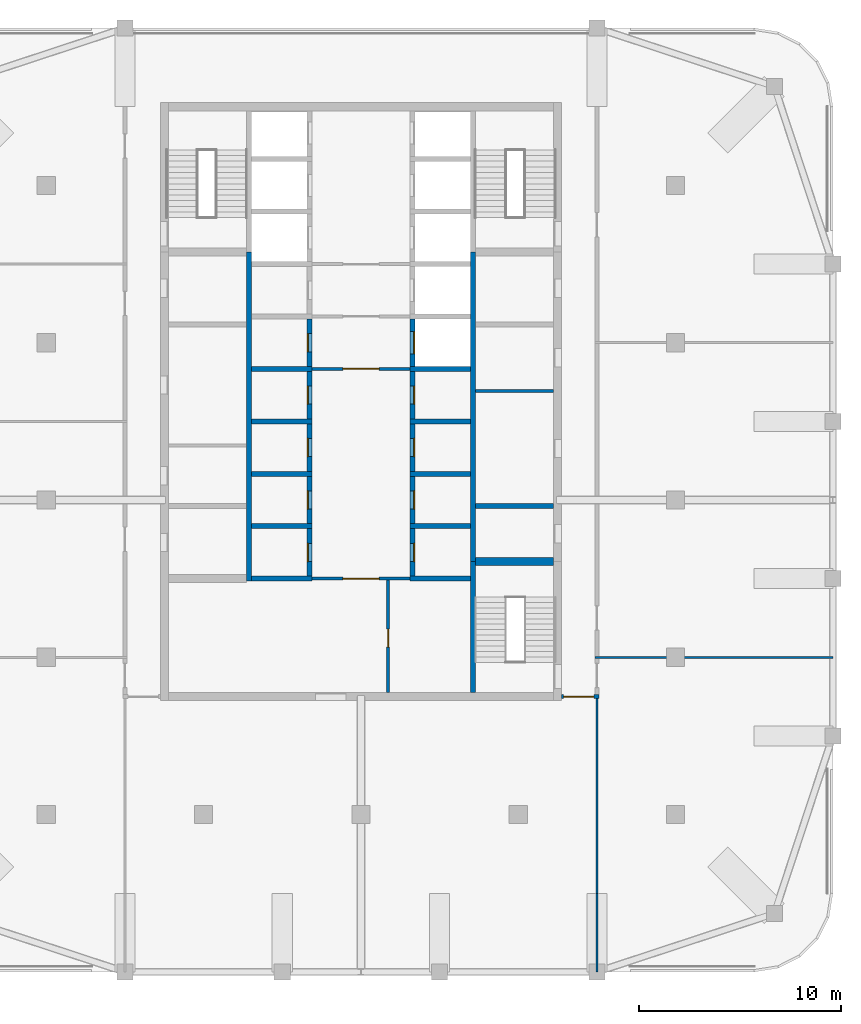
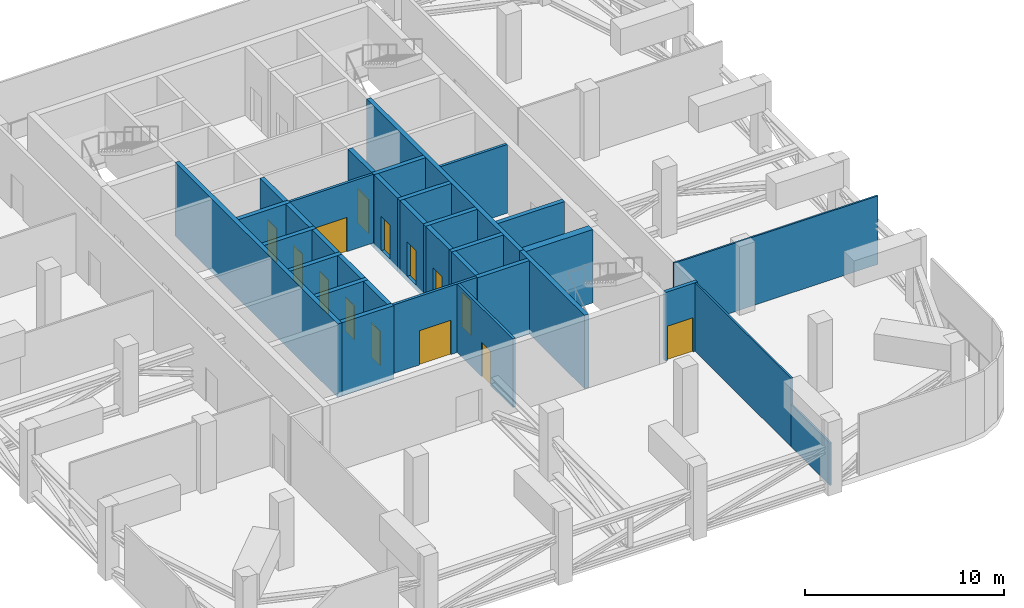
# One storey, part 6 of 13: 33 walls, 14 doors, 14 openings.
"""IFC4 building model written with IfcOpenShell, lengths in metres."""

from ifc_helpers import new_model, si_unit, direction, frame, frame_2d, origin, place, context, subcontext, project, spatial, rectangle, extrude, material, layer, layer_set, type_object, element, fill, save


model = new_model("IFC4")

# Units and contexts
model_context = context("Model", 3, precision=1e-05, world=origin(), true_north=direction((0.0, 1.0)))
body_context = subcontext(model_context, "Body", "Model", "MODEL_VIEW")
ifc_project = project(units=[si_unit("LENGTHUNIT", "METRE"), si_unit("AREAUNIT", "SQUARE_METRE"), si_unit("VOLUMEUNIT", "CUBIC_METRE"), si_unit("PLANEANGLEUNIT", "RADIAN"), si_unit("MASSUNIT", "GRAM", prefix="KILO")], contexts=[model_context])

# Site, building, storey
site_placement = place(None, origin())
site = spatial("IfcSite", under=ifc_project, at=site_placement, CompositionType="ELEMENT")
building_placement = place(site_placement, origin())
building = spatial("IfcBuilding", under=site, at=building_placement, Name="Ludao Terraces", CompositionType="ELEMENT")
storey_placement = place(building_placement, frame((0.0, 0.0, 241.5)))
storey = spatial("IfcBuildingStorey", under=building, at=storey_placement, Name="L66", CompositionType="ELEMENT", Elevation=241.5)

# Wall, opening, door
ifc_material_1 = material(Name="Fire-rated gypsum plasterboard", Category="gypsum")
ifc_layer_1 = layer(ifc_material_1, 0.012451171875, Category="gypsum")
ifc_material_2 = material(Name="Mineral wool")
ifc_layer_2 = layer(ifc_material_2, 0.10009765625, Name="insulation")
ifc_material_3 = material(Name="Steel Q235", Category="steel")
ifc_layer_3 = layer(ifc_material_3, 0.02490234375, Name="stud")
ifc_layer_4 = layer(ifc_material_1, 0.012451171875, Category="gypsum")
ifc_layer_set_1 = layer_set([ifc_layer_1, ifc_layer_2, ifc_layer_3, ifc_layer_4], Name="INT Core partition 150")
wall_type_1 = type_object("IfcWallType", Name="INT Core partition 150", PredefinedType="PARTITIONING", material=ifc_layer_set_1)
wall_1_placement = place(storey_placement, frame((82.5751953125, 61.10009765625, 0.0), z_axis=(0.0, 0.0, 1.0), x_axis=(1.0, 0.0, 0.0)))
wall_1 = element("IfcWall", 1, at=wall_1_placement, inside=storey, type_object=wall_type_1, Name="PW-L66-PW004", PredefinedType="PARTITIONING", context=body_context, shape_type="SweptSolid", body=[
    extrude(rectangle(XDim=4.849853515625, YDim=0.14990234375, at=frame_2d((2.4248046875, 0.0))), origin(), (0.0, 0.0, 1.0), 4.199951171875),
])
opening_1_placement = place(wall_1_placement, frame((1.52490234375, 0.0, 0.0)))
opening_1 = element("IfcOpeningElement", 2, at=opening_1_placement, cuts=wall_1, Name="Opening L66-009", PredefinedType="OPENING", context=body_context, shape_type="SweptSolid", body=[
    extrude(rectangle(XDim=1.800048828125, YDim=2.10009765625, at=frame_2d((0.89990234375, 1.050048828125))), frame((0.0, 0.0849609375, 0.0), z_axis=(0.0, -1.0, 0.0), x_axis=(1.0, 0.0, 0.0)), (0.0, 0.0, 1.0), 0.169921875),
])
door_type_1 = type_object("IfcDoorType", Name="INT Fire lobby door 1800", OperationType="DOUBLE_DOOR_SINGLE_SWING", PredefinedType="DOOR", material=ifc_material_3)
door_1_placement = place(opening_1_placement, origin())
door_1 = element("IfcDoor", 3, at=door_1_placement, inside=storey, type_object=door_type_1, Name="DOOR 009", OperationType="DOUBLE_DOOR_SINGLE_SWING", OverallHeight=2.10009765625, OverallWidth=1.800048828125, PredefinedType="DOOR", context=body_context, shape_type="SweptSolid", body=[
    extrude(rectangle(XDim=1.800048828125, YDim=2.10009765625, at=frame_2d((0.89990234375, 1.050048828125))), frame((0.0, 0.02490234375, 0.0), z_axis=(0.0, -1.0, 0.0), x_axis=(1.0, 0.0, 0.0)), (0.0, 0.0, 1.0), 0.050048828125),
])
fill(opening_1, door_1)

# Wall
wall_2_placement = place(storey_placement, frame((90.675048828125, 70.39990234375, 0.0), z_axis=(0.0, 0.0, 1.0), x_axis=(1.0, 0.0, 0.0)))
element("IfcWall", 4, at=wall_2_placement, inside=storey, type_object=wall_type_1, Name="PW-L66-PW007", PredefinedType="PARTITIONING", context=body_context, shape_type="SweptSolid", body=[
    extrude(rectangle(XDim=3.875, YDim=0.14990234375, at=frame_2d((1.9375, 0.0))), origin(), (0.0, 0.0, 1.0), 4.199951171875),
])

# Wall, opening, door
wall_3_placement = place(storey_placement, frame((82.5751953125, 71.5, 0.0), z_axis=(0.0, 0.0, 1.0), x_axis=(1.0, 0.0, 0.0)))
wall_3 = element("IfcWall", 5, at=wall_3_placement, inside=storey, type_object=wall_type_1, Name="PW-L66-PW008", PredefinedType="PARTITIONING", context=body_context, shape_type="SweptSolid", body=[
    extrude(rectangle(XDim=4.849853515625, YDim=0.14990234375, at=frame_2d((2.4248046875, 0.0))), origin(), (0.0, 0.0, 1.0), 4.199951171875),
])
opening_2_placement = place(wall_3_placement, frame((1.52490234375, 0.0, 0.0)))
opening_2 = element("IfcOpeningElement", 6, at=opening_2_placement, cuts=wall_3, Name="Opening L66-024", PredefinedType="OPENING", context=body_context, shape_type="SweptSolid", body=[
    extrude(rectangle(XDim=1.800048828125, YDim=2.10009765625, at=frame_2d((0.89990234375, 1.050048828125))), frame((0.0, 0.0849609375, 0.0), z_axis=(0.0, -1.0, 0.0), x_axis=(1.0, 0.0, 0.0)), (0.0, 0.0, 1.0), 0.169921875),
])
door_2_placement = place(opening_2_placement, origin())
door_2 = element("IfcDoor", 7, at=door_2_placement, inside=storey, type_object=door_type_1, Name="DOOR 024", OperationType="DOUBLE_DOOR_SINGLE_SWING", OverallHeight=2.10009765625, OverallWidth=1.800048828125, PredefinedType="DOOR", context=body_context, shape_type="SweptSolid", body=[
    extrude(rectangle(XDim=1.800048828125, YDim=2.10009765625, at=frame_2d((0.89990234375, 1.050048828125))), frame((0.0, 0.02490234375, 0.0), z_axis=(0.0, -1.0, 0.0), x_axis=(1.0, 0.0, 0.0)), (0.0, 0.0, 1.0), 0.050048828125),
])
fill(opening_2, door_2)

wall_4_placement = place(storey_placement, frame((86.35009765625, 55.4501953125, 0.0), z_axis=(0.0, 0.0, 1.0), x_axis=(0.0, 1.0, 0.0)))
wall_4 = element("IfcWall", 8, at=wall_4_placement, inside=storey, type_object=wall_type_1, Name="PW-L66-PW015", PredefinedType="PARTITIONING", context=body_context, shape_type="SweptSolid", body=[
    extrude(rectangle(XDim=5.574951171875, YDim=0.14990234375, at=frame_2d((2.78759765625, 0.0))), origin(), (0.0, 0.0, 1.0), 4.199951171875),
])
opening_3_placement = place(wall_4_placement, frame((2.25, 0.0, 0.0)))
opening_3 = element("IfcOpeningElement", 9, at=opening_3_placement, cuts=wall_4, Name="Opening L66-007", PredefinedType="OPENING", context=body_context, shape_type="SweptSolid", body=[
    extrude(rectangle(XDim=0.89990234375, YDim=2.10009765625, at=frame_2d((0.449951171875, 1.050048828125))), frame((0.0, 0.0849609375, 0.0), z_axis=(0.0, -1.0, 0.0), x_axis=(1.0, 0.0, 0.0)), (0.0, 0.0, 1.0), 0.169921875),
])
ifc_material_4 = material(Name="Timber door leaf", Category="wood")
door_type_2 = type_object("IfcDoorType", Name="INT Room door 900", OperationType="SINGLE_SWING_LEFT", PredefinedType="DOOR", material=ifc_material_4)
door_3_placement = place(opening_3_placement, origin())
door_3 = element("IfcDoor", 10, at=door_3_placement, inside=storey, type_object=door_type_2, Name="DOOR 007", OperationType="SINGLE_SWING_RIGHT", OverallHeight=2.10009765625, OverallWidth=0.89990234375, PredefinedType="DOOR", context=body_context, shape_type="SweptSolid", body=[
    extrude(rectangle(XDim=0.89990234375, YDim=2.10009765625, at=frame_2d((0.449951171875, 1.050048828125))), frame((0.0, 0.02490234375, 0.0), z_axis=(0.0, -1.0, 0.0), x_axis=(1.0, 0.0, 0.0)), (0.0, 0.0, 1.0), 0.050048828125),
])
fill(opening_3, door_3)

ifc_material_5 = material(Name="Autoclaved aerated concrete block B06 A3.5", Category="concrete")
ifc_layer_5 = layer(ifc_material_5, 0.199951171875)
ifc_layer_set_2 = layer_set([ifc_layer_5], Name="INT Entrance wall 200")
wall_type_2 = type_object("IfcWallType", Name="INT Entrance wall 200", PredefinedType="PARTITIONING", material=ifc_layer_set_2)
wall_5_placement = place(storey_placement, frame((94.9501953125, 55.25, 0.0), z_axis=(0.0, 0.0, 1.0), x_axis=(1.0, 0.0, 0.0)))
wall_5 = element("IfcWall", 11, at=wall_5_placement, inside=storey, type_object=wall_type_2, Name="PW-L66-PW001", PredefinedType="PARTITIONING", context=body_context, shape_type="SweptSolid", body=[
    extrude(rectangle(XDim=1.849853515625, YDim=0.199951171875, at=frame_2d((0.9248046875, 0.0))), origin(), (0.0, 0.0, 1.0), 4.199951171875),
])
opening_4_placement = place(wall_5_placement, frame((0.10009765625, 0.0, 0.0)))
opening_4 = element("IfcOpeningElement", 12, at=opening_4_placement, cuts=wall_5, Name="Opening L66-003", PredefinedType="OPENING", context=body_context, shape_type="SweptSolid", body=[
    extrude(rectangle(XDim=1.5, YDim=2.10009765625, at=frame_2d((0.75, 1.050048828125))), frame((0.0, 0.10986328125, 0.0), z_axis=(0.0, -1.0, 0.0), x_axis=(1.0, 0.0, 0.0)), (0.0, 0.0, 1.0), 0.219970703125),
])
door_type_3 = type_object("IfcDoorType", Name="INT Lobby door 1500", OperationType="DOUBLE_DOOR_SINGLE_SWING", PredefinedType="DOOR", material=ifc_material_3)
door_4_placement = place(opening_4_placement, origin())
door_4 = element("IfcDoor", 13, at=door_4_placement, inside=storey, type_object=door_type_3, Name="DOOR 003", OperationType="DOUBLE_DOOR_SINGLE_SWING", OverallHeight=2.10009765625, OverallWidth=1.5, PredefinedType="DOOR", context=body_context, shape_type="SweptSolid", body=[
    extrude(rectangle(XDim=1.5, YDim=2.10009765625, at=frame_2d((0.75, 1.050048828125))), frame((0.0, 0.02490234375, 0.0), z_axis=(0.0, -1.0, 0.0), x_axis=(1.0, 0.0, 0.0)), (0.0, 0.0, 1.0), 0.050048828125),
])
fill(opening_4, door_4)

# Walls
ifc_material_6 = material(Name="Gypsum plasterboard", Category="gypsum")
ifc_layer_6 = layer(ifc_material_6, 0.012451171875, Category="gypsum")
ifc_layer_7 = layer(ifc_material_2, 0.06005859375, Name="insulation")
ifc_layer_8 = layer(ifc_material_3, 0.014892578125, Name="stud")
ifc_layer_9 = layer(ifc_material_6, 0.012451171875, Category="gypsum")
ifc_layer_set_3 = layer_set([ifc_layer_6, ifc_layer_7, ifc_layer_8, ifc_layer_9], Name="INT Partition 100")
wall_type_3 = type_object("IfcWallType", Name="INT Partition 100", PredefinedType="PARTITIONING", material=ifc_layer_set_3)
wall_6_placement = place(storey_placement, frame((96.60009765625, 57.199951171875, 0.0), z_axis=(0.0, 0.0, 1.0), x_axis=(1.0, 0.0, 0.0)))
element("IfcWall", 14, at=wall_6_placement, inside=storey, type_object=wall_type_3, Name="PW-L66-PW003", PredefinedType="PARTITIONING", context=body_context, shape_type="SweptSolid", body=[
    extrude(rectangle(XDim=11.800048828125, YDim=0.10009765625, at=frame_2d((5.89990234375, 0.0))), origin(), (0.0, 0.0, 1.0), 4.199951171875),
])
wall_7_placement = place(storey_placement, frame((96.699951171875, 41.60009765625, 0.0), z_axis=(0.0, 0.0, 1.0), x_axis=(0.0, 1.0, 0.0)))
element("IfcWall", 15, at=wall_7_placement, inside=storey, type_object=wall_type_3, Name="PW-L66-PW016", PredefinedType="PARTITIONING", context=body_context, shape_type="SweptSolid", body=[
    extrude(rectangle(XDim=3.89990234375, YDim=0.10009765625, at=frame_2d((1.949951171875, 0.0))), origin(), (0.0, 0.0, 1.0), 2.599853515625),
])
wall_8_placement = place(storey_placement, frame((96.699951171875, 45.5, 0.0), z_axis=(0.0, 0.0, 1.0), x_axis=(0.0, 1.0, 0.0)))
element("IfcWall", 16, at=wall_8_placement, inside=storey, type_object=wall_type_3, Name="PW-L66-PW016-2", PredefinedType="PARTITIONING", context=body_context, shape_type="SweptSolid", body=[
    extrude(rectangle(XDim=9.650146484375, YDim=0.10009765625, at=frame_2d((4.8251953125, 0.0))), origin(), (0.0, 0.0, 1.0), 4.199951171875),
])
ifc_material_7 = material(Name="Concrete C50", Category="concrete")
ifc_layer_10 = layer(ifc_material_7, 0.25)
ifc_layer_set_4 = layer_set([ifc_layer_10], Name="Shaft wall 250 C50")
wall_type_4 = type_object("IfcWallType", Name="Shaft wall 250 C50", PredefinedType="SOLIDWALL", material=ifc_layer_set_4)
wall_9_placement = place(storey_placement, frame((79.449951171875, 60.97509765625, -0.300048828125), z_axis=(0.0, 0.0, 1.0), x_axis=(0.0, 1.0, 0.0)))
element("IfcWall", 17, at=wall_9_placement, inside=storey, type_object=wall_type_4, Name="Core wall L66 back-W", PredefinedType="SOLIDWALL", context=body_context, shape_type="SweptSolid", body=[
    extrude(rectangle(XDim=16.324951171875, YDim=0.25, at=frame_2d((8.16259765625, 0.0))), origin(), (0.0, 0.0, 1.0), 4.5),
])
wall_10_placement = place(storey_placement, frame((90.550048828125, 55.449951171875, -0.300048828125), z_axis=(0.0, 0.0, 1.0), x_axis=(0.0, 1.0, 0.0)))
element("IfcWall", 18, at=wall_10_placement, inside=storey, type_object=wall_type_4, Name="Core wall L66 back-E-S3", PredefinedType="SOLIDWALL", context=body_context, shape_type="SweptSolid", body=[
    extrude(rectangle(XDim=6.5, YDim=0.25, at=frame_2d((3.25, 0.0))), origin(), (0.0, 0.0, 1.0), 4.5),
])
wall_11_placement = place(storey_placement, frame((90.550048828125, 61.949951171875, -0.300048828125), z_axis=(0.0, 0.0, 1.0), x_axis=(0.0, 1.0, 0.0)))
element("IfcWall", 19, at=wall_11_placement, inside=storey, type_object=wall_type_4, Name="Core wall L66 back-E", PredefinedType="SOLIDWALL", context=body_context, shape_type="SweptSolid", body=[
    extrude(rectangle(XDim=15.35009765625, YDim=0.25, at=frame_2d((7.675048828125, 0.0))), origin(), (0.0, 0.0, 1.0), 4.5),
])
wall_12_placement = place(storey_placement, frame((79.574951171875, 61.10009765625, -0.300048828125), z_axis=(0.0, 0.0, 1.0), x_axis=(1.0, 0.0, 0.0)))
element("IfcWall", 20, at=wall_12_placement, inside=storey, type_object=wall_type_4, Name="Core wall L66 div-W1", PredefinedType="SOLIDWALL", context=body_context, shape_type="SweptSolid", body=[
    extrude(rectangle(XDim=3.0, YDim=0.25, at=frame_2d((1.5, 0.0))), origin(), (0.0, 0.0, 1.0), 4.5),
])

# Wall, opening, door
wall_13_placement = place(storey_placement, frame((82.449951171875, 61.22509765625, -0.300048828125), z_axis=(0.0, 0.0, 1.0), x_axis=(0.0, 1.0, 0.0)))
wall_13 = element("IfcWall", 21, at=wall_13_placement, inside=storey, type_object=wall_type_4, Name="Core wall L66 front-W1", PredefinedType="SOLIDWALL", context=body_context, shape_type="SweptSolid", body=[
    extrude(rectangle(XDim=2.349853515625, YDim=0.25, at=frame_2d((1.1748046875, 0.0))), origin(), (0.0, 0.0, 1.0), 4.5),
])
opening_5_placement = place(wall_13_placement, frame((0.72509765625, 0.0, 0.300048828125)))
opening_5 = element("IfcOpeningElement", 22, at=opening_5_placement, cuts=wall_13, Name="Opening L66-010", PredefinedType="OPENING", context=body_context, shape_type="SweptSolid", body=[
    extrude(rectangle(XDim=0.89990234375, YDim=2.10009765625, at=frame_2d((0.449951171875, 1.050048828125))), frame((0.0, 0.135009765625, 0.0), z_axis=(0.0, -1.0, 0.0), x_axis=(1.0, 0.0, 0.0)), (0.0, 0.0, 1.0), 0.27001953125),
])
door_5_placement = place(opening_5_placement, origin())
door_5 = element("IfcDoor", 23, at=door_5_placement, inside=storey, type_object=door_type_2, Name="DOOR 010", OperationType="SINGLE_SWING_LEFT", OverallHeight=2.10009765625, OverallWidth=0.89990234375, PredefinedType="DOOR", context=body_context, shape_type="SweptSolid", body=[
    extrude(rectangle(XDim=0.89990234375, YDim=2.10009765625, at=frame_2d((0.449951171875, 1.050048828125))), frame((0.0, 0.10986328125, 0.0), z_axis=(0.0, -1.0, 0.0), x_axis=(1.0, 0.0, 0.0)), (0.0, 0.0, 1.0), 0.050048828125),
])
fill(opening_5, door_5)

# Wall
wall_14_placement = place(storey_placement, frame((79.574951171875, 63.699951171875, -0.300048828125), z_axis=(0.0, 0.0, 1.0), x_axis=(1.0, 0.0, 0.0)))
element("IfcWall", 24, at=wall_14_placement, inside=storey, type_object=wall_type_4, Name="Core wall L66 div-W2", PredefinedType="SOLIDWALL", context=body_context, shape_type="SweptSolid", body=[
    extrude(rectangle(XDim=3.0, YDim=0.25, at=frame_2d((1.5, 0.0))), origin(), (0.0, 0.0, 1.0), 4.5),
])

# Wall, opening, door
wall_15_placement = place(storey_placement, frame((82.449951171875, 63.824951171875, -0.300048828125), z_axis=(0.0, 0.0, 1.0), x_axis=(0.0, 1.0, 0.0)))
wall_15 = element("IfcWall", 25, at=wall_15_placement, inside=storey, type_object=wall_type_4, Name="Core wall L66 front-W2", PredefinedType="SOLIDWALL", context=body_context, shape_type="SweptSolid", body=[
    extrude(rectangle(XDim=2.35009765625, YDim=0.25, at=frame_2d((1.175048828125, 0.0))), origin(), (0.0, 0.0, 1.0), 4.5),
])
opening_6_placement = place(wall_15_placement, frame((0.72509765625, 0.0, 0.300048828125)))
opening_6 = element("IfcOpeningElement", 26, at=opening_6_placement, cuts=wall_15, Name="Opening L66-015", PredefinedType="OPENING", context=body_context, shape_type="SweptSolid", body=[
    extrude(rectangle(XDim=0.89990234375, YDim=2.10009765625, at=frame_2d((0.449951171875, 1.050048828125))), frame((0.0, 0.135009765625, 0.0), z_axis=(0.0, -1.0, 0.0), x_axis=(1.0, 0.0, 0.0)), (0.0, 0.0, 1.0), 0.27001953125),
])
door_6_placement = place(opening_6_placement, origin())
door_6 = element("IfcDoor", 27, at=door_6_placement, inside=storey, type_object=door_type_2, Name="DOOR 015", OperationType="SINGLE_SWING_LEFT", OverallHeight=2.10009765625, OverallWidth=0.89990234375, PredefinedType="DOOR", context=body_context, shape_type="SweptSolid", body=[
    extrude(rectangle(XDim=0.89990234375, YDim=2.10009765625, at=frame_2d((0.449951171875, 1.050048828125))), frame((0.0, 0.10986328125, 0.0), z_axis=(0.0, -1.0, 0.0), x_axis=(1.0, 0.0, 0.0)), (0.0, 0.0, 1.0), 0.050048828125),
])
fill(opening_6, door_6)

# Wall
wall_16_placement = place(storey_placement, frame((79.574951171875, 66.300048828125, -0.300048828125), z_axis=(0.0, 0.0, 1.0), x_axis=(1.0, 0.0, 0.0)))
element("IfcWall", 28, at=wall_16_placement, inside=storey, type_object=wall_type_4, Name="Core wall L66 div-W3", PredefinedType="SOLIDWALL", context=body_context, shape_type="SweptSolid", body=[
    extrude(rectangle(XDim=3.0, YDim=0.25, at=frame_2d((1.5, 0.0))), origin(), (0.0, 0.0, 1.0), 4.5),
])

# Wall, opening, door
wall_17_placement = place(storey_placement, frame((82.449951171875, 66.425048828125, -0.300048828125), z_axis=(0.0, 0.0, 1.0), x_axis=(0.0, 1.0, 0.0)))
wall_17 = element("IfcWall", 29, at=wall_17_placement, inside=storey, type_object=wall_type_4, Name="Core wall L66 front-W3", PredefinedType="SOLIDWALL", context=body_context, shape_type="SweptSolid", body=[
    extrude(rectangle(XDim=2.349853515625, YDim=0.25, at=frame_2d((1.1748046875, 0.0))), origin(), (0.0, 0.0, 1.0), 4.5),
])
opening_7_placement = place(wall_17_placement, frame((0.72509765625, 0.0, 0.300048828125)))
opening_7 = element("IfcOpeningElement", 30, at=opening_7_placement, cuts=wall_17, Name="Opening L66-019", PredefinedType="OPENING", context=body_context, shape_type="SweptSolid", body=[
    extrude(rectangle(XDim=0.89990234375, YDim=2.10009765625, at=frame_2d((0.449951171875, 1.050048828125))), frame((0.0, 0.135009765625, 0.0), z_axis=(0.0, -1.0, 0.0), x_axis=(1.0, 0.0, 0.0)), (0.0, 0.0, 1.0), 0.27001953125),
])
door_7_placement = place(opening_7_placement, origin())
door_7 = element("IfcDoor", 31, at=door_7_placement, inside=storey, type_object=door_type_2, Name="DOOR 019", OperationType="SINGLE_SWING_LEFT", OverallHeight=2.10009765625, OverallWidth=0.89990234375, PredefinedType="DOOR", context=body_context, shape_type="SweptSolid", body=[
    extrude(rectangle(XDim=0.89990234375, YDim=2.10009765625, at=frame_2d((0.449951171875, 1.050048828125))), frame((0.0, 0.10986328125, 0.0), z_axis=(0.0, -1.0, 0.0), x_axis=(1.0, 0.0, 0.0)), (0.0, 0.0, 1.0), 0.050048828125),
])
fill(opening_7, door_7)

# Wall
wall_18_placement = place(storey_placement, frame((79.574951171875, 68.89990234375, -0.300048828125), z_axis=(0.0, 0.0, 1.0), x_axis=(1.0, 0.0, 0.0)))
element("IfcWall", 32, at=wall_18_placement, inside=storey, type_object=wall_type_4, Name="Core wall L66 div-W4", PredefinedType="SOLIDWALL", context=body_context, shape_type="SweptSolid", body=[
    extrude(rectangle(XDim=3.0, YDim=0.25, at=frame_2d((1.5, 0.0))), origin(), (0.0, 0.0, 1.0), 4.5),
])

# Wall, opening, door
wall_19_placement = place(storey_placement, frame((82.449951171875, 69.02490234375, -0.300048828125), z_axis=(0.0, 0.0, 1.0), x_axis=(0.0, 1.0, 0.0)))
wall_19 = element("IfcWall", 33, at=wall_19_placement, inside=storey, type_object=wall_type_4, Name="Core wall L66 front-W4", PredefinedType="SOLIDWALL", context=body_context, shape_type="SweptSolid", body=[
    extrude(rectangle(XDim=2.35009765625, YDim=0.25, at=frame_2d((1.175048828125, 0.0))), origin(), (0.0, 0.0, 1.0), 4.5),
])
opening_8_placement = place(wall_19_placement, frame((0.72509765625, 0.0, 0.300048828125)))
opening_8 = element("IfcOpeningElement", 34, at=opening_8_placement, cuts=wall_19, Name="Opening L66-021", PredefinedType="OPENING", context=body_context, shape_type="SweptSolid", body=[
    extrude(rectangle(XDim=0.89990234375, YDim=2.10009765625, at=frame_2d((0.449951171875, 1.050048828125))), frame((0.0, 0.135009765625, 0.0), z_axis=(0.0, -1.0, 0.0), x_axis=(1.0, 0.0, 0.0)), (0.0, 0.0, 1.0), 0.27001953125),
])
door_8_placement = place(opening_8_placement, origin())
door_8 = element("IfcDoor", 35, at=door_8_placement, inside=storey, type_object=door_type_2, Name="DOOR 021", OperationType="SINGLE_SWING_RIGHT", OverallHeight=2.10009765625, OverallWidth=0.89990234375, PredefinedType="DOOR", context=body_context, shape_type="SweptSolid", body=[
    extrude(rectangle(XDim=0.89990234375, YDim=2.10009765625, at=frame_2d((0.449951171875, 1.050048828125))), frame((0.0, 0.10986328125, 0.0), z_axis=(0.0, -1.0, 0.0), x_axis=(1.0, 0.0, 0.0)), (0.0, 0.0, 1.0), 0.050048828125),
])
fill(opening_8, door_8)

# Wall
wall_20_placement = place(storey_placement, frame((79.574951171875, 71.5, -0.300048828125), z_axis=(0.0, 0.0, 1.0), x_axis=(1.0, 0.0, 0.0)))
element("IfcWall", 36, at=wall_20_placement, inside=storey, type_object=wall_type_4, Name="Core wall L66 div-W5", PredefinedType="SOLIDWALL", context=body_context, shape_type="SweptSolid", body=[
    extrude(rectangle(XDim=3.0, YDim=0.25, at=frame_2d((1.5, 0.0))), origin(), (0.0, 0.0, 1.0), 4.5),
])

# Wall, opening, door
wall_21_placement = place(storey_placement, frame((82.449951171875, 71.625, -0.300048828125), z_axis=(0.0, 0.0, 1.0), x_axis=(0.0, 1.0, 0.0)))
wall_21 = element("IfcWall", 37, at=wall_21_placement, inside=storey, type_object=wall_type_4, Name="Core wall L66 front-W5", PredefinedType="SOLIDWALL", context=body_context, shape_type="SweptSolid", body=[
    extrude(rectangle(XDim=2.35009765625, YDim=0.25, at=frame_2d((1.175048828125, 0.0))), origin(), (0.0, 0.0, 1.0), 4.5),
])
opening_9_placement = place(wall_21_placement, frame((0.72509765625, 0.0, 0.300048828125)))
opening_9 = element("IfcOpeningElement", 38, at=opening_9_placement, cuts=wall_21, Name="Opening L66-026", PredefinedType="OPENING", context=body_context, shape_type="SweptSolid", body=[
    extrude(rectangle(XDim=0.89990234375, YDim=2.10009765625, at=frame_2d((0.449951171875, 1.050048828125))), frame((0.0, 0.135009765625, 0.0), z_axis=(0.0, -1.0, 0.0), x_axis=(1.0, 0.0, 0.0)), (0.0, 0.0, 1.0), 0.27001953125),
])
door_9_placement = place(opening_9_placement, origin())
door_9 = element("IfcDoor", 39, at=door_9_placement, inside=storey, type_object=door_type_2, Name="DOOR 026", OperationType="SINGLE_SWING_LEFT", OverallHeight=2.10009765625, OverallWidth=0.89990234375, PredefinedType="DOOR", context=body_context, shape_type="SweptSolid", body=[
    extrude(rectangle(XDim=0.89990234375, YDim=2.10009765625, at=frame_2d((0.449951171875, 1.050048828125))), frame((0.0, 0.10986328125, 0.0), z_axis=(0.0, -1.0, 0.0), x_axis=(1.0, 0.0, 0.0)), (0.0, 0.0, 1.0), 0.050048828125),
])
fill(opening_9, door_9)

# Wall
wall_22_placement = place(storey_placement, frame((87.425048828125, 61.10009765625, -0.300048828125), z_axis=(0.0, 0.0, 1.0), x_axis=(1.0, 0.0, 0.0)))
element("IfcWall", 40, at=wall_22_placement, inside=storey, type_object=wall_type_4, Name="Core wall L66 div-E1", PredefinedType="SOLIDWALL", context=body_context, shape_type="SweptSolid", body=[
    extrude(rectangle(XDim=3.0, YDim=0.25, at=frame_2d((1.5, 0.0))), origin(), (0.0, 0.0, 1.0), 4.5),
])

# Wall, opening, door
wall_23_placement = place(storey_placement, frame((87.550048828125, 61.22509765625, -0.300048828125), z_axis=(0.0, 0.0, 1.0), x_axis=(0.0, 1.0, 0.0)))
wall_23 = element("IfcWall", 41, at=wall_23_placement, inside=storey, type_object=wall_type_4, Name="Core wall L66 front-E1", PredefinedType="SOLIDWALL", context=body_context, shape_type="SweptSolid", body=[
    extrude(rectangle(XDim=2.349853515625, YDim=0.25, at=frame_2d((1.1748046875, 0.0))), origin(), (0.0, 0.0, 1.0), 4.5),
])
opening_10_placement = place(wall_23_placement, frame((0.72509765625, 0.0, 0.300048828125)))
opening_10 = element("IfcOpeningElement", 42, at=opening_10_placement, cuts=wall_23, Name="Opening L66-011", PredefinedType="OPENING", context=body_context, shape_type="SweptSolid", body=[
    extrude(rectangle(XDim=0.89990234375, YDim=2.10009765625, at=frame_2d((0.449951171875, 1.050048828125))), frame((0.0, 0.135009765625, 0.0), z_axis=(0.0, -1.0, 0.0), x_axis=(1.0, 0.0, 0.0)), (0.0, 0.0, 1.0), 0.27001953125),
])
door_10_placement = place(opening_10_placement, origin())
door_10 = element("IfcDoor", 43, at=door_10_placement, inside=storey, type_object=door_type_2, Name="DOOR 011", OperationType="SINGLE_SWING_RIGHT", OverallHeight=2.10009765625, OverallWidth=0.89990234375, PredefinedType="DOOR", context=body_context, shape_type="SweptSolid", body=[
    extrude(rectangle(XDim=0.89990234375, YDim=2.10009765625, at=frame_2d((0.449951171875, 1.050048828125))), frame((0.0, -0.06005859375, 0.0), z_axis=(0.0, -1.0, 0.0), x_axis=(1.0, 0.0, 0.0)), (0.0, 0.0, 1.0), 0.050048828125),
])
fill(opening_10, door_10)

# Wall
wall_24_placement = place(storey_placement, frame((87.425048828125, 63.699951171875, -0.300048828125), z_axis=(0.0, 0.0, 1.0), x_axis=(1.0, 0.0, 0.0)))
element("IfcWall", 44, at=wall_24_placement, inside=storey, type_object=wall_type_4, Name="Core wall L66 div-E2", PredefinedType="SOLIDWALL", context=body_context, shape_type="SweptSolid", body=[
    extrude(rectangle(XDim=3.0, YDim=0.25, at=frame_2d((1.5, 0.0))), origin(), (0.0, 0.0, 1.0), 4.5),
])

# Wall, opening, door
wall_25_placement = place(storey_placement, frame((87.550048828125, 63.824951171875, -0.300048828125), z_axis=(0.0, 0.0, 1.0), x_axis=(0.0, 1.0, 0.0)))
wall_25 = element("IfcWall", 45, at=wall_25_placement, inside=storey, type_object=wall_type_4, Name="Core wall L66 front-E2", PredefinedType="SOLIDWALL", context=body_context, shape_type="SweptSolid", body=[
    extrude(rectangle(XDim=2.35009765625, YDim=0.25, at=frame_2d((1.175048828125, 0.0))), origin(), (0.0, 0.0, 1.0), 4.5),
])
opening_11_placement = place(wall_25_placement, frame((0.72509765625, 0.0, 0.300048828125)))
opening_11 = element("IfcOpeningElement", 46, at=opening_11_placement, cuts=wall_25, Name="Opening L66-016", PredefinedType="OPENING", context=body_context, shape_type="SweptSolid", body=[
    extrude(rectangle(XDim=0.89990234375, YDim=2.10009765625, at=frame_2d((0.449951171875, 1.050048828125))), frame((0.0, 0.135009765625, 0.0), z_axis=(0.0, -1.0, 0.0), x_axis=(1.0, 0.0, 0.0)), (0.0, 0.0, 1.0), 0.27001953125),
])
door_11_placement = place(opening_11_placement, origin())
door_11 = element("IfcDoor", 47, at=door_11_placement, inside=storey, type_object=door_type_2, Name="DOOR 016", OperationType="SINGLE_SWING_RIGHT", OverallHeight=2.10009765625, OverallWidth=0.89990234375, PredefinedType="DOOR", context=body_context, shape_type="SweptSolid", body=[
    extrude(rectangle(XDim=0.89990234375, YDim=2.10009765625, at=frame_2d((0.449951171875, 1.050048828125))), frame((0.0, -0.06005859375, 0.0), z_axis=(0.0, -1.0, 0.0), x_axis=(1.0, 0.0, 0.0)), (0.0, 0.0, 1.0), 0.050048828125),
])
fill(opening_11, door_11)

# Wall
wall_26_placement = place(storey_placement, frame((87.425048828125, 66.300048828125, -0.300048828125), z_axis=(0.0, 0.0, 1.0), x_axis=(1.0, 0.0, 0.0)))
element("IfcWall", 48, at=wall_26_placement, inside=storey, type_object=wall_type_4, Name="Core wall L66 div-E3", PredefinedType="SOLIDWALL", context=body_context, shape_type="SweptSolid", body=[
    extrude(rectangle(XDim=3.0, YDim=0.25, at=frame_2d((1.5, 0.0))), origin(), (0.0, 0.0, 1.0), 4.5),
])

# Wall, opening, door
wall_27_placement = place(storey_placement, frame((87.550048828125, 66.425048828125, -0.300048828125), z_axis=(0.0, 0.0, 1.0), x_axis=(0.0, 1.0, 0.0)))
wall_27 = element("IfcWall", 49, at=wall_27_placement, inside=storey, type_object=wall_type_4, Name="Core wall L66 front-E3", PredefinedType="SOLIDWALL", context=body_context, shape_type="SweptSolid", body=[
    extrude(rectangle(XDim=2.349853515625, YDim=0.25, at=frame_2d((1.1748046875, 0.0))), origin(), (0.0, 0.0, 1.0), 4.5),
])
opening_12_placement = place(wall_27_placement, frame((0.72509765625, 0.0, 0.300048828125)))
opening_12 = element("IfcOpeningElement", 50, at=opening_12_placement, cuts=wall_27, Name="Opening L66-020", PredefinedType="OPENING", context=body_context, shape_type="SweptSolid", body=[
    extrude(rectangle(XDim=0.89990234375, YDim=2.10009765625, at=frame_2d((0.449951171875, 1.050048828125))), frame((0.0, 0.135009765625, 0.0), z_axis=(0.0, -1.0, 0.0), x_axis=(1.0, 0.0, 0.0)), (0.0, 0.0, 1.0), 0.27001953125),
])
door_12_placement = place(opening_12_placement, origin())
door_12 = element("IfcDoor", 51, at=door_12_placement, inside=storey, type_object=door_type_2, Name="DOOR 020", OperationType="SINGLE_SWING_RIGHT", OverallHeight=2.10009765625, OverallWidth=0.89990234375, PredefinedType="DOOR", context=body_context, shape_type="SweptSolid", body=[
    extrude(rectangle(XDim=0.89990234375, YDim=2.10009765625, at=frame_2d((0.449951171875, 1.050048828125))), frame((0.0, -0.06005859375, 0.0), z_axis=(0.0, -1.0, 0.0), x_axis=(1.0, 0.0, 0.0)), (0.0, 0.0, 1.0), 0.050048828125),
])
fill(opening_12, door_12)

# Wall
wall_28_placement = place(storey_placement, frame((87.425048828125, 68.89990234375, -0.300048828125), z_axis=(0.0, 0.0, 1.0), x_axis=(1.0, 0.0, 0.0)))
element("IfcWall", 52, at=wall_28_placement, inside=storey, type_object=wall_type_4, Name="Core wall L66 div-E4", PredefinedType="SOLIDWALL", context=body_context, shape_type="SweptSolid", body=[
    extrude(rectangle(XDim=3.0, YDim=0.25, at=frame_2d((1.5, 0.0))), origin(), (0.0, 0.0, 1.0), 4.5),
])

# Wall, opening, door
wall_29_placement = place(storey_placement, frame((87.550048828125, 69.02490234375, -0.300048828125), z_axis=(0.0, 0.0, 1.0), x_axis=(0.0, 1.0, 0.0)))
wall_29 = element("IfcWall", 53, at=wall_29_placement, inside=storey, type_object=wall_type_4, Name="Core wall L66 front-E4", PredefinedType="SOLIDWALL", context=body_context, shape_type="SweptSolid", body=[
    extrude(rectangle(XDim=2.35009765625, YDim=0.25, at=frame_2d((1.175048828125, 0.0))), origin(), (0.0, 0.0, 1.0), 4.5),
])
opening_13_placement = place(wall_29_placement, frame((0.72509765625, 0.0, 0.300048828125)))
opening_13 = element("IfcOpeningElement", 54, at=opening_13_placement, cuts=wall_29, Name="Opening L66-022", PredefinedType="OPENING", context=body_context, shape_type="SweptSolid", body=[
    extrude(rectangle(XDim=0.89990234375, YDim=2.10009765625, at=frame_2d((0.449951171875, 1.050048828125))), frame((0.0, 0.135009765625, 0.0), z_axis=(0.0, -1.0, 0.0), x_axis=(1.0, 0.0, 0.0)), (0.0, 0.0, 1.0), 0.27001953125),
])
door_13_placement = place(opening_13_placement, origin())
door_13 = element("IfcDoor", 55, at=door_13_placement, inside=storey, type_object=door_type_2, Name="DOOR 022", OperationType="SINGLE_SWING_LEFT", OverallHeight=2.10009765625, OverallWidth=0.89990234375, PredefinedType="DOOR", context=body_context, shape_type="SweptSolid", body=[
    extrude(rectangle(XDim=0.89990234375, YDim=2.10009765625, at=frame_2d((0.449951171875, 1.050048828125))), frame((0.0, -0.06005859375, 0.0), z_axis=(0.0, -1.0, 0.0), x_axis=(1.0, 0.0, 0.0)), (0.0, 0.0, 1.0), 0.050048828125),
])
fill(opening_13, door_13)

# Wall
wall_30_placement = place(storey_placement, frame((87.425048828125, 71.5, -0.300048828125), z_axis=(0.0, 0.0, 1.0), x_axis=(1.0, 0.0, 0.0)))
element("IfcWall", 56, at=wall_30_placement, inside=storey, type_object=wall_type_4, Name="Core wall L66 div-E5", PredefinedType="SOLIDWALL", context=body_context, shape_type="SweptSolid", body=[
    extrude(rectangle(XDim=3.0, YDim=0.25, at=frame_2d((1.5, 0.0))), origin(), (0.0, 0.0, 1.0), 4.5),
])

# Wall, opening, door
wall_31_placement = place(storey_placement, frame((87.550048828125, 71.625, -0.300048828125), z_axis=(0.0, 0.0, 1.0), x_axis=(0.0, 1.0, 0.0)))
wall_31 = element("IfcWall", 57, at=wall_31_placement, inside=storey, type_object=wall_type_4, Name="Core wall L66 front-E5", PredefinedType="SOLIDWALL", context=body_context, shape_type="SweptSolid", body=[
    extrude(rectangle(XDim=2.35009765625, YDim=0.25, at=frame_2d((1.175048828125, 0.0))), origin(), (0.0, 0.0, 1.0), 4.5),
])
opening_14_placement = place(wall_31_placement, frame((0.625, 0.0, 0.300048828125)))
opening_14 = element("IfcOpeningElement", 58, at=opening_14_placement, cuts=wall_31, Name="Opening LD-LB1", PredefinedType="OPENING", context=body_context, shape_type="SweptSolid", body=[
    extrude(rectangle(XDim=1.10009765625, YDim=2.10009765625, at=frame_2d((0.550048828125, 1.050048828125))), frame((0.0, 0.135009765625, 0.0), z_axis=(0.0, -1.0, 0.0), x_axis=(1.0, 0.0, 0.0)), (0.0, 0.0, 1.0), 0.27001953125),
])
ifc_material_8 = material(Name="Stainless steel 304", Category="steel")
door_type_4 = type_object("IfcDoorType", Name="INT Lift landing door 1100", OperationType="SLIDING_TO_LEFT", PredefinedType="DOOR", material=ifc_material_8)
door_14_placement = place(opening_14_placement, origin())
door_14 = element("IfcDoor", 59, at=door_14_placement, inside=storey, type_object=door_type_4, Name="LANDING DOOR LB1 L66", OperationType="SLIDING_TO_LEFT", OverallHeight=2.10009765625, OverallWidth=1.10009765625, PredefinedType="DOOR", context=body_context, shape_type="SweptSolid", body=[
    extrude(rectangle(XDim=1.10009765625, YDim=2.10009765625, at=frame_2d((0.550048828125, 1.050048828125))), frame((0.0, -0.06005859375, 0.0), z_axis=(0.0, -1.0, 0.0), x_axis=(1.0, 0.0, 0.0)), (0.0, 0.0, 1.0), 0.050048828125),
])
fill(opening_14, door_14)

# Walls
wall_32_placement = place(storey_placement, frame((90.675048828125, 64.699951171875, -0.300048828125), z_axis=(0.0, 0.0, 1.0), x_axis=(1.0, 0.0, 0.0)))
element("IfcWall", 60, at=wall_32_placement, inside=storey, type_object=wall_type_4, Name="Core wall L66 riser-a-E", PredefinedType="SOLIDWALL", context=body_context, shape_type="SweptSolid", body=[
    extrude(rectangle(XDim=3.875, YDim=0.25, at=frame_2d((1.9375, 0.0))), origin(), (0.0, 0.0, 1.0), 4.5),
])
ifc_layer_11 = layer(ifc_material_7, 0.39990234375)
ifc_layer_set_5 = layer_set([ifc_layer_11], Name="Shaft wall 400 C50")
wall_type_5 = type_object("IfcWallType", Name="Shaft wall 400 C50", PredefinedType="SOLIDWALL", material=ifc_layer_set_5)
wall_33_placement = place(storey_placement, frame((90.675048828125, 61.949951171875, -0.300048828125), z_axis=(0.0, 0.0, 1.0), x_axis=(1.0, 0.0, 0.0)))
element("IfcWall", 61, at=wall_33_placement, inside=storey, type_object=wall_type_5, Name="Core wall L66 hall-E", PredefinedType="SOLIDWALL", context=body_context, shape_type="SweptSolid", body=[
    extrude(rectangle(XDim=3.875, YDim=0.39990234375, at=frame_2d((1.9375, 0.0))), origin(), (0.0, 0.0, 1.0), 4.5),
])

save(model, "model.ifc")
